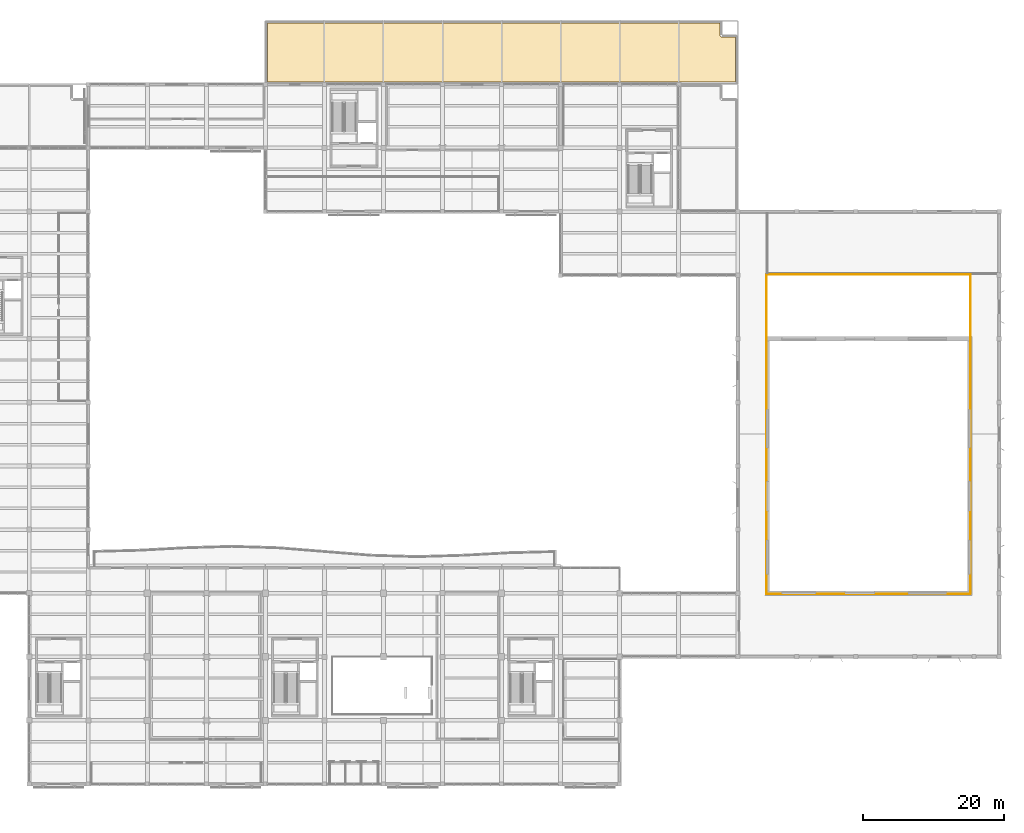
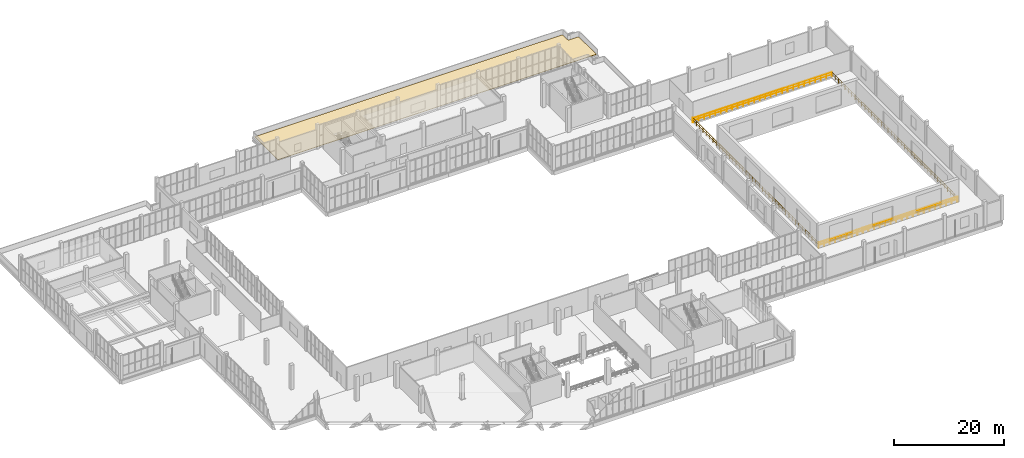
# One storey, part 132 of 132: 4 railings, 1 covering.
"""IFC4 building model written with IfcOpenShell, lengths in metres."""

from ifc_helpers import new_model, si_unit, direction, frame, origin, origin_2d, place, context, subcontext, project, spatial, polyline, circle, outline, extrude, material, layer, layer_set, type_object, element, save


model = new_model("IFC4")

# Units and contexts
model_context = context("Model", 3, precision=1e-05, world=origin(), true_north=direction((0.0, 1.0)))
body_context = subcontext(model_context, "Body", "Model", "MODEL_VIEW")
ifc_project = project(units=[si_unit("LENGTHUNIT", "METRE"), si_unit("AREAUNIT", "SQUARE_METRE"), si_unit("VOLUMEUNIT", "CUBIC_METRE"), si_unit("PLANEANGLEUNIT", "RADIAN"), si_unit("MASSUNIT", "GRAM", prefix="KILO")], contexts=[model_context])

# Site, building, storey
site_placement = place(None, origin())
site = spatial("IfcSite", under=ifc_project, at=site_placement, CompositionType="ELEMENT")
building_placement = place(site_placement, origin())
building = spatial("IfcBuilding", under=site, at=building_placement, Name="Khurvash Pelagic Aquarium", CompositionType="ELEMENT")
storey_placement = place(building_placement, frame((0.0, 0.0, 5.39990234375)))
storey = spatial("IfcBuildingStorey", under=building, at=storey_placement, Name="L01", CompositionType="ELEMENT", Elevation=5.39990234375)

# Covering
ifc_material_1 = material(Name="TPO waterproof membrane and XPS rigid insulation", Category="insulation")
ifc_layer = layer(ifc_material_1, 0.080078125)
ifc_layer_set = layer_set([ifc_layer], Name="TPO waterproof membrane and XPS rigid insulation")
covering_type = type_object("IfcCoveringType", Name="CV-RF01", PredefinedType="ROOFING", material=ifc_layer_set)
covering_placement = place(storey_placement, origin())
element("IfcCovering", 1, at=covering_placement, inside=storey, type_object=covering_type, Name="L01 Insulated TPO Roof Membrane SLB-ROOF-L01-2-1", PredefinedType="ROOFING", context=body_context, shape_type="SweptSolid", body=[
    extrude(outline(polyline([(125.679931640625, 102.469970703125), (59.1201171875, 102.469970703125), (59.1201171875, 110.8798828125), (123.47998046875, 110.8798828125), (123.47998046875, 109.199951171875), (123.48193359375, 109.1689453125), (123.486083984375, 109.137939453125), (123.493896484375, 109.10693359375), (123.50390625, 109.077880859375), (123.51806640625, 109.049072265625), (123.533935546875, 109.02197265625), (123.552978515625, 108.9970703125), (123.573974609375, 108.97412109375), (123.596923828125, 108.952880859375), (123.6220703125, 108.93408203125), (123.64892578125, 108.91796875), (123.677978515625, 108.904052734375), (123.70703125, 108.89404296875), (123.738037109375, 108.885986328125), (123.76904296875, 108.882080078125), (123.800048828125, 108.8798828125), (125.679931640625, 108.8798828125), (125.679931640625, 102.469970703125)])), origin(), (0.0, 0.0, 1.0), 0.080078125),
])

# Railings
ifc_material_2 = material(Name="Powder-coated galvanised steel S355J2", Category="steel")
railing_type = type_object("IfcRailingType", Name="GR-01", PredefinedType="GUARDRAIL", material=ifc_material_2)
railing_1_placement = place(storey_placement, frame((130.10009765625, 29.64990234375, 0.0)))
element("IfcRailing", 2, at=railing_1_placement, inside=storey, type_object=railing_type, Name="L01 VOID_OCEAN_L01 Mezzanine Edge Guardrail GR-01", PredefinedType="GUARDRAIL", context=body_context, shape_type="SweptSolid", body=[
    extrude(circle(Radius=0.02392578125, at=origin_2d()), frame((0.0, 0.0, 1.076171875), z_axis=(1.0, 0.0, 0.0), x_axis=(0.0, 1.0, 0.0)), (0.0, 0.0, 1.0), 29.0),
    extrude(circle(Radius=0.02392578125, at=origin_2d()), frame((0.0, 0.0, 0.5380859375), z_axis=(1.0, 0.0, 0.0), x_axis=(0.0, 1.0, 0.0)), (0.0, 0.0, 1.0), 29.0),
    extrude(circle(Radius=0.02099609375, at=origin_2d()), origin(), (0.0, 0.0, 1.0), 1.052001953125),
    extrude(circle(Radius=0.02099609375, at=origin_2d()), frame((1.159912109375, 0.0, 0.0)), (0.0, 0.0, 1.0), 1.052001953125),
    extrude(circle(Radius=0.02099609375, at=origin_2d()), frame((2.320068359375, 0.0, 0.0)), (0.0, 0.0, 1.0), 1.052001953125),
    extrude(circle(Radius=0.02099609375, at=origin_2d()), frame((3.47998046875, 0.0, 0.0)), (0.0, 0.0, 1.0), 1.052001953125),
    extrude(circle(Radius=0.02099609375, at=origin_2d()), frame((4.639892578125, 0.0, 0.0)), (0.0, 0.0, 1.0), 1.052001953125),
    extrude(circle(Radius=0.02099609375, at=origin_2d()), frame((5.800048828125, 0.0, 0.0)), (0.0, 0.0, 1.0), 1.052001953125),
    extrude(circle(Radius=0.02099609375, at=origin_2d()), frame((6.9599609375, 0.0, 0.0)), (0.0, 0.0, 1.0), 1.052001953125),
    extrude(circle(Radius=0.02099609375, at=origin_2d()), frame((8.1201171875, 0.0, 0.0)), (0.0, 0.0, 1.0), 1.052001953125),
    extrude(circle(Radius=0.02099609375, at=origin_2d()), frame((9.280029296875, 0.0, 0.0)), (0.0, 0.0, 1.0), 1.052001953125),
    extrude(circle(Radius=0.02099609375, at=origin_2d()), frame((10.43994140625, 0.0, 0.0)), (0.0, 0.0, 1.0), 1.052001953125),
    extrude(circle(Radius=0.02099609375, at=origin_2d()), frame((11.60009765625, 0.0, 0.0)), (0.0, 0.0, 1.0), 1.052001953125),
    extrude(circle(Radius=0.02099609375, at=origin_2d()), frame((12.760009765625, 0.0, 0.0)), (0.0, 0.0, 1.0), 1.052001953125),
    extrude(circle(Radius=0.02099609375, at=origin_2d()), frame((13.919921875, 0.0, 0.0)), (0.0, 0.0, 1.0), 1.052001953125),
    extrude(circle(Radius=0.02099609375, at=origin_2d()), frame((15.080078125, 0.0, 0.0)), (0.0, 0.0, 1.0), 1.052001953125),
    extrude(circle(Radius=0.02099609375, at=origin_2d()), frame((16.239990234375, 0.0, 0.0)), (0.0, 0.0, 1.0), 1.052001953125),
    extrude(circle(Radius=0.02099609375, at=origin_2d()), frame((17.39990234375, 0.0, 0.0)), (0.0, 0.0, 1.0), 1.052001953125),
    extrude(circle(Radius=0.02099609375, at=origin_2d()), frame((18.56005859375, 0.0, 0.0)), (0.0, 0.0, 1.0), 1.052001953125),
    extrude(circle(Radius=0.02099609375, at=origin_2d()), frame((19.719970703125, 0.0, 0.0)), (0.0, 0.0, 1.0), 1.052001953125),
    extrude(circle(Radius=0.02099609375, at=origin_2d()), frame((20.8798828125, 0.0, 0.0)), (0.0, 0.0, 1.0), 1.052001953125),
    extrude(circle(Radius=0.02099609375, at=origin_2d()), frame((22.0400390625, 0.0, 0.0)), (0.0, 0.0, 1.0), 1.052001953125),
    extrude(circle(Radius=0.02099609375, at=origin_2d()), frame((23.199951171875, 0.0, 0.0)), (0.0, 0.0, 1.0), 1.052001953125),
    extrude(circle(Radius=0.02099609375, at=origin_2d()), frame((24.360107421875, 0.0, 0.0)), (0.0, 0.0, 1.0), 1.052001953125),
    extrude(circle(Radius=0.02099609375, at=origin_2d()), frame((25.52001953125, 0.0, 0.0)), (0.0, 0.0, 1.0), 1.052001953125),
    extrude(circle(Radius=0.02099609375, at=origin_2d()), frame((26.679931640625, 0.0, 0.0)), (0.0, 0.0, 1.0), 1.052001953125),
    extrude(circle(Radius=0.02099609375, at=origin_2d()), frame((27.840087890625, 0.0, 0.0)), (0.0, 0.0, 1.0), 1.052001953125),
    extrude(circle(Radius=0.02099609375, at=origin_2d()), frame((29.0, 0.0, 0.0)), (0.0, 0.0, 1.0), 1.052001953125),
])
railing_2_placement = place(storey_placement, frame((159.10009765625, 29.64990234375, 0.0)))
element("IfcRailing", 3, at=railing_2_placement, inside=storey, type_object=railing_type, Name="L01 VOID_OCEAN_L01 Mezzanine Edge Guardrail GR-01", PredefinedType="GUARDRAIL", context=body_context, shape_type="SweptSolid", body=[
    extrude(circle(Radius=0.02392578125, at=origin_2d()), frame((0.0, 0.0, 1.076171875), z_axis=(0.0, 1.0, 0.0), x_axis=(-1.0, 0.0, 0.0)), (0.0, 0.0, 1.0), 45.4501953125),
    extrude(circle(Radius=0.02392578125, at=origin_2d()), frame((0.0, 0.0, 0.5380859375), z_axis=(0.0, 1.0, 0.0), x_axis=(-1.0, 0.0, 0.0)), (0.0, 0.0, 1.0), 45.4501953125),
    extrude(circle(Radius=0.02099609375, at=origin_2d()), origin(), (0.0, 0.0, 1.0), 1.052001953125),
    extrude(circle(Radius=0.02099609375, at=origin_2d()), frame((0.0, 1.196044921875, 0.0)), (0.0, 0.0, 1.0), 1.052001953125),
    extrude(circle(Radius=0.02099609375, at=origin_2d()), frame((0.0, 2.39208984375, 0.0)), (0.0, 0.0, 1.0), 1.052001953125),
    extrude(circle(Radius=0.02099609375, at=origin_2d()), frame((0.0, 3.588134765625, 0.0)), (0.0, 0.0, 1.0), 1.052001953125),
    extrude(circle(Radius=0.02099609375, at=origin_2d()), frame((0.0, 4.7841796875, 0.0)), (0.0, 0.0, 1.0), 1.052001953125),
    extrude(circle(Radius=0.02099609375, at=origin_2d()), frame((0.0, 5.980224609375, 0.0)), (0.0, 0.0, 1.0), 1.052001953125),
    extrude(circle(Radius=0.02099609375, at=origin_2d()), frame((0.0, 7.17626953125, 0.0)), (0.0, 0.0, 1.0), 1.052001953125),
    extrude(circle(Radius=0.02099609375, at=origin_2d()), frame((0.0, 8.372314453125, 0.0)), (0.0, 0.0, 1.0), 1.052001953125),
    extrude(circle(Radius=0.02099609375, at=origin_2d()), frame((0.0, 9.568359375, 0.0)), (0.0, 0.0, 1.0), 1.052001953125),
    extrude(circle(Radius=0.02099609375, at=origin_2d()), frame((0.0, 10.764404296875, 0.0)), (0.0, 0.0, 1.0), 1.052001953125),
    extrude(circle(Radius=0.02099609375, at=origin_2d()), frame((0.0, 11.960693359375, 0.0)), (0.0, 0.0, 1.0), 1.052001953125),
    extrude(circle(Radius=0.02099609375, at=origin_2d()), frame((0.0, 13.15673828125, 0.0)), (0.0, 0.0, 1.0), 1.052001953125),
    extrude(circle(Radius=0.02099609375, at=origin_2d()), frame((0.0, 14.352783203125, 0.0)), (0.0, 0.0, 1.0), 1.052001953125),
    extrude(circle(Radius=0.02099609375, at=origin_2d()), frame((0.0, 15.548828125, 0.0)), (0.0, 0.0, 1.0), 1.052001953125),
    extrude(circle(Radius=0.02099609375, at=origin_2d()), frame((0.0, 16.744873046875, 0.0)), (0.0, 0.0, 1.0), 1.052001953125),
    extrude(circle(Radius=0.02099609375, at=origin_2d()), frame((0.0, 17.94091796875, 0.0)), (0.0, 0.0, 1.0), 1.052001953125),
    extrude(circle(Radius=0.02099609375, at=origin_2d()), frame((0.0, 19.136962890625, 0.0)), (0.0, 0.0, 1.0), 1.052001953125),
    extrude(circle(Radius=0.02099609375, at=origin_2d()), frame((0.0, 20.3330078125, 0.0)), (0.0, 0.0, 1.0), 1.052001953125),
    extrude(circle(Radius=0.02099609375, at=origin_2d()), frame((0.0, 21.529052734375, 0.0)), (0.0, 0.0, 1.0), 1.052001953125),
    extrude(circle(Radius=0.02099609375, at=origin_2d()), frame((0.0, 22.72509765625, 0.0)), (0.0, 0.0, 1.0), 1.052001953125),
    extrude(circle(Radius=0.02099609375, at=origin_2d()), frame((0.0, 23.921142578125, 0.0)), (0.0, 0.0, 1.0), 1.052001953125),
    extrude(circle(Radius=0.02099609375, at=origin_2d()), frame((0.0, 25.1171875, 0.0)), (0.0, 0.0, 1.0), 1.052001953125),
    extrude(circle(Radius=0.02099609375, at=origin_2d()), frame((0.0, 26.313232421875, 0.0)), (0.0, 0.0, 1.0), 1.052001953125),
    extrude(circle(Radius=0.02099609375, at=origin_2d()), frame((0.0, 27.50927734375, 0.0)), (0.0, 0.0, 1.0), 1.052001953125),
    extrude(circle(Radius=0.02099609375, at=origin_2d()), frame((0.0, 28.705322265625, 0.0)), (0.0, 0.0, 1.0), 1.052001953125),
    extrude(circle(Radius=0.02099609375, at=origin_2d()), frame((0.0, 29.9013671875, 0.0)), (0.0, 0.0, 1.0), 1.052001953125),
    extrude(circle(Radius=0.02099609375, at=origin_2d()), frame((0.0, 31.097412109375, 0.0)), (0.0, 0.0, 1.0), 1.052001953125),
    extrude(circle(Radius=0.02099609375, at=origin_2d()), frame((0.0, 32.29345703125, 0.0)), (0.0, 0.0, 1.0), 1.052001953125),
    extrude(circle(Radius=0.02099609375, at=origin_2d()), frame((0.0, 33.489501953125, 0.0)), (0.0, 0.0, 1.0), 1.052001953125),
    extrude(circle(Radius=0.02099609375, at=origin_2d()), frame((0.0, 34.685791015625, 0.0)), (0.0, 0.0, 1.0), 1.052001953125),
    extrude(circle(Radius=0.02099609375, at=origin_2d()), frame((0.0, 35.8818359375, 0.0)), (0.0, 0.0, 1.0), 1.052001953125),
    extrude(circle(Radius=0.02099609375, at=origin_2d()), frame((0.0, 37.077880859375, 0.0)), (0.0, 0.0, 1.0), 1.052001953125),
    extrude(circle(Radius=0.02099609375, at=origin_2d()), frame((0.0, 38.27392578125, 0.0)), (0.0, 0.0, 1.0), 1.052001953125),
    extrude(circle(Radius=0.02099609375, at=origin_2d()), frame((0.0, 39.469970703125, 0.0)), (0.0, 0.0, 1.0), 1.052001953125),
    extrude(circle(Radius=0.02099609375, at=origin_2d()), frame((0.0, 40.666015625, 0.0)), (0.0, 0.0, 1.0), 1.052001953125),
    extrude(circle(Radius=0.02099609375, at=origin_2d()), frame((0.0, 41.862060546875, 0.0)), (0.0, 0.0, 1.0), 1.052001953125),
    extrude(circle(Radius=0.02099609375, at=origin_2d()), frame((0.0, 43.05810546875, 0.0)), (0.0, 0.0, 1.0), 1.052001953125),
    extrude(circle(Radius=0.02099609375, at=origin_2d()), frame((0.0, 44.254150390625, 0.0)), (0.0, 0.0, 1.0), 1.052001953125),
    extrude(circle(Radius=0.02099609375, at=origin_2d()), frame((0.0, 45.4501953125, 0.0)), (0.0, 0.0, 1.0), 1.052001953125),
])
railing_3_placement = place(storey_placement, frame((159.10009765625, 75.10009765625, 0.0)))
element("IfcRailing", 4, at=railing_3_placement, inside=storey, type_object=railing_type, Name="L01 VOID_OCEAN_L01 Mezzanine Edge Guardrail GR-01", PredefinedType="GUARDRAIL", context=body_context, shape_type="SweptSolid", body=[
    extrude(circle(Radius=0.02392578125, at=origin_2d()), frame((0.0, 0.0, 1.076171875), z_axis=(-1.0, 0.0, 0.0), x_axis=(0.0, -1.0, 0.0)), (0.0, 0.0, 1.0), 29.0),
    extrude(circle(Radius=0.02392578125, at=origin_2d()), frame((0.0, 0.0, 0.5380859375), z_axis=(-1.0, 0.0, 0.0), x_axis=(0.0, -1.0, 0.0)), (0.0, 0.0, 1.0), 29.0),
    extrude(circle(Radius=0.02099609375, at=origin_2d()), origin(), (0.0, 0.0, 1.0), 1.052001953125),
    extrude(circle(Radius=0.02099609375, at=origin_2d()), frame((-1.159912109375, 0.0, 0.0)), (0.0, 0.0, 1.0), 1.052001953125),
    extrude(circle(Radius=0.02099609375, at=origin_2d()), frame((-2.320068359375, 0.0, 0.0)), (0.0, 0.0, 1.0), 1.052001953125),
    extrude(circle(Radius=0.02099609375, at=origin_2d()), frame((-3.47998046875, 0.0, 0.0)), (0.0, 0.0, 1.0), 1.052001953125),
    extrude(circle(Radius=0.02099609375, at=origin_2d()), frame((-4.639892578125, 0.0, 0.0)), (0.0, 0.0, 1.0), 1.052001953125),
    extrude(circle(Radius=0.02099609375, at=origin_2d()), frame((-5.800048828125, 0.0, 0.0)), (0.0, 0.0, 1.0), 1.052001953125),
    extrude(circle(Radius=0.02099609375, at=origin_2d()), frame((-6.9599609375, 0.0, 0.0)), (0.0, 0.0, 1.0), 1.052001953125),
    extrude(circle(Radius=0.02099609375, at=origin_2d()), frame((-8.1201171875, 0.0, 0.0)), (0.0, 0.0, 1.0), 1.052001953125),
    extrude(circle(Radius=0.02099609375, at=origin_2d()), frame((-9.280029296875, 0.0, 0.0)), (0.0, 0.0, 1.0), 1.052001953125),
    extrude(circle(Radius=0.02099609375, at=origin_2d()), frame((-10.43994140625, 0.0, 0.0)), (0.0, 0.0, 1.0), 1.052001953125),
    extrude(circle(Radius=0.02099609375, at=origin_2d()), frame((-11.60009765625, 0.0, 0.0)), (0.0, 0.0, 1.0), 1.052001953125),
    extrude(circle(Radius=0.02099609375, at=origin_2d()), frame((-12.760009765625, 0.0, 0.0)), (0.0, 0.0, 1.0), 1.052001953125),
    extrude(circle(Radius=0.02099609375, at=origin_2d()), frame((-13.919921875, 0.0, 0.0)), (0.0, 0.0, 1.0), 1.052001953125),
    extrude(circle(Radius=0.02099609375, at=origin_2d()), frame((-15.080078125, 0.0, 0.0)), (0.0, 0.0, 1.0), 1.052001953125),
    extrude(circle(Radius=0.02099609375, at=origin_2d()), frame((-16.239990234375, 0.0, 0.0)), (0.0, 0.0, 1.0), 1.052001953125),
    extrude(circle(Radius=0.02099609375, at=origin_2d()), frame((-17.39990234375, 0.0, 0.0)), (0.0, 0.0, 1.0), 1.052001953125),
    extrude(circle(Radius=0.02099609375, at=origin_2d()), frame((-18.56005859375, 0.0, 0.0)), (0.0, 0.0, 1.0), 1.052001953125),
    extrude(circle(Radius=0.02099609375, at=origin_2d()), frame((-19.719970703125, 0.0, 0.0)), (0.0, 0.0, 1.0), 1.052001953125),
    extrude(circle(Radius=0.02099609375, at=origin_2d()), frame((-20.8798828125, 0.0, 0.0)), (0.0, 0.0, 1.0), 1.052001953125),
    extrude(circle(Radius=0.02099609375, at=origin_2d()), frame((-22.0400390625, 0.0, 0.0)), (0.0, 0.0, 1.0), 1.052001953125),
    extrude(circle(Radius=0.02099609375, at=origin_2d()), frame((-23.199951171875, 0.0, 0.0)), (0.0, 0.0, 1.0), 1.052001953125),
    extrude(circle(Radius=0.02099609375, at=origin_2d()), frame((-24.360107421875, 0.0, 0.0)), (0.0, 0.0, 1.0), 1.052001953125),
    extrude(circle(Radius=0.02099609375, at=origin_2d()), frame((-25.52001953125, 0.0, 0.0)), (0.0, 0.0, 1.0), 1.052001953125),
    extrude(circle(Radius=0.02099609375, at=origin_2d()), frame((-26.679931640625, 0.0, 0.0)), (0.0, 0.0, 1.0), 1.052001953125),
    extrude(circle(Radius=0.02099609375, at=origin_2d()), frame((-27.840087890625, 0.0, 0.0)), (0.0, 0.0, 1.0), 1.052001953125),
    extrude(circle(Radius=0.02099609375, at=origin_2d()), frame((-29.0, 0.0, 0.0)), (0.0, 0.0, 1.0), 1.052001953125),
])
railing_4_placement = place(storey_placement, frame((130.10009765625, 75.10009765625, 0.0)))
element("IfcRailing", 5, at=railing_4_placement, inside=storey, type_object=railing_type, Name="L01 VOID_OCEAN_L01 Mezzanine Edge Guardrail GR-01", PredefinedType="GUARDRAIL", context=body_context, shape_type="SweptSolid", body=[
    extrude(circle(Radius=0.02392578125, at=origin_2d()), frame((0.0, 0.0, 1.076171875), z_axis=(0.0, -1.0, 0.0), x_axis=(1.0, 0.0, 0.0)), (0.0, 0.0, 1.0), 45.4501953125),
    extrude(circle(Radius=0.02392578125, at=origin_2d()), frame((0.0, 0.0, 0.5380859375), z_axis=(0.0, -1.0, 0.0), x_axis=(1.0, 0.0, 0.0)), (0.0, 0.0, 1.0), 45.4501953125),
    extrude(circle(Radius=0.02099609375, at=origin_2d()), origin(), (0.0, 0.0, 1.0), 1.052001953125),
    extrude(circle(Radius=0.02099609375, at=origin_2d()), frame((0.0, -1.196044921875, 0.0)), (0.0, 0.0, 1.0), 1.052001953125),
    extrude(circle(Radius=0.02099609375, at=origin_2d()), frame((0.0, -2.39208984375, 0.0)), (0.0, 0.0, 1.0), 1.052001953125),
    extrude(circle(Radius=0.02099609375, at=origin_2d()), frame((0.0, -3.588134765625, 0.0)), (0.0, 0.0, 1.0), 1.052001953125),
    extrude(circle(Radius=0.02099609375, at=origin_2d()), frame((0.0, -4.7841796875, 0.0)), (0.0, 0.0, 1.0), 1.052001953125),
    extrude(circle(Radius=0.02099609375, at=origin_2d()), frame((0.0, -5.980224609375, 0.0)), (0.0, 0.0, 1.0), 1.052001953125),
    extrude(circle(Radius=0.02099609375, at=origin_2d()), frame((0.0, -7.17626953125, 0.0)), (0.0, 0.0, 1.0), 1.052001953125),
    extrude(circle(Radius=0.02099609375, at=origin_2d()), frame((0.0, -8.372314453125, 0.0)), (0.0, 0.0, 1.0), 1.052001953125),
    extrude(circle(Radius=0.02099609375, at=origin_2d()), frame((0.0, -9.568359375, 0.0)), (0.0, 0.0, 1.0), 1.052001953125),
    extrude(circle(Radius=0.02099609375, at=origin_2d()), frame((0.0, -10.764404296875, 0.0)), (0.0, 0.0, 1.0), 1.052001953125),
    extrude(circle(Radius=0.02099609375, at=origin_2d()), frame((0.0, -11.960693359375, 0.0)), (0.0, 0.0, 1.0), 1.052001953125),
    extrude(circle(Radius=0.02099609375, at=origin_2d()), frame((0.0, -13.15673828125, 0.0)), (0.0, 0.0, 1.0), 1.052001953125),
    extrude(circle(Radius=0.02099609375, at=origin_2d()), frame((0.0, -14.352783203125, 0.0)), (0.0, 0.0, 1.0), 1.052001953125),
    extrude(circle(Radius=0.02099609375, at=origin_2d()), frame((0.0, -15.548828125, 0.0)), (0.0, 0.0, 1.0), 1.052001953125),
    extrude(circle(Radius=0.02099609375, at=origin_2d()), frame((0.0, -16.744873046875, 0.0)), (0.0, 0.0, 1.0), 1.052001953125),
    extrude(circle(Radius=0.02099609375, at=origin_2d()), frame((0.0, -17.94091796875, 0.0)), (0.0, 0.0, 1.0), 1.052001953125),
    extrude(circle(Radius=0.02099609375, at=origin_2d()), frame((0.0, -19.136962890625, 0.0)), (0.0, 0.0, 1.0), 1.052001953125),
    extrude(circle(Radius=0.02099609375, at=origin_2d()), frame((0.0, -20.3330078125, 0.0)), (0.0, 0.0, 1.0), 1.052001953125),
    extrude(circle(Radius=0.02099609375, at=origin_2d()), frame((0.0, -21.529052734375, 0.0)), (0.0, 0.0, 1.0), 1.052001953125),
    extrude(circle(Radius=0.02099609375, at=origin_2d()), frame((0.0, -22.72509765625, 0.0)), (0.0, 0.0, 1.0), 1.052001953125),
    extrude(circle(Radius=0.02099609375, at=origin_2d()), frame((0.0, -23.921142578125, 0.0)), (0.0, 0.0, 1.0), 1.052001953125),
    extrude(circle(Radius=0.02099609375, at=origin_2d()), frame((0.0, -25.1171875, 0.0)), (0.0, 0.0, 1.0), 1.052001953125),
    extrude(circle(Radius=0.02099609375, at=origin_2d()), frame((0.0, -26.313232421875, 0.0)), (0.0, 0.0, 1.0), 1.052001953125),
    extrude(circle(Radius=0.02099609375, at=origin_2d()), frame((0.0, -27.50927734375, 0.0)), (0.0, 0.0, 1.0), 1.052001953125),
    extrude(circle(Radius=0.02099609375, at=origin_2d()), frame((0.0, -28.705322265625, 0.0)), (0.0, 0.0, 1.0), 1.052001953125),
    extrude(circle(Radius=0.02099609375, at=origin_2d()), frame((0.0, -29.9013671875, 0.0)), (0.0, 0.0, 1.0), 1.052001953125),
    extrude(circle(Radius=0.02099609375, at=origin_2d()), frame((0.0, -31.097412109375, 0.0)), (0.0, 0.0, 1.0), 1.052001953125),
    extrude(circle(Radius=0.02099609375, at=origin_2d()), frame((0.0, -32.29345703125, 0.0)), (0.0, 0.0, 1.0), 1.052001953125),
    extrude(circle(Radius=0.02099609375, at=origin_2d()), frame((0.0, -33.489501953125, 0.0)), (0.0, 0.0, 1.0), 1.052001953125),
    extrude(circle(Radius=0.02099609375, at=origin_2d()), frame((0.0, -34.685791015625, 0.0)), (0.0, 0.0, 1.0), 1.052001953125),
    extrude(circle(Radius=0.02099609375, at=origin_2d()), frame((0.0, -35.8818359375, 0.0)), (0.0, 0.0, 1.0), 1.052001953125),
    extrude(circle(Radius=0.02099609375, at=origin_2d()), frame((0.0, -37.077880859375, 0.0)), (0.0, 0.0, 1.0), 1.052001953125),
    extrude(circle(Radius=0.02099609375, at=origin_2d()), frame((0.0, -38.27392578125, 0.0)), (0.0, 0.0, 1.0), 1.052001953125),
    extrude(circle(Radius=0.02099609375, at=origin_2d()), frame((0.0, -39.469970703125, 0.0)), (0.0, 0.0, 1.0), 1.052001953125),
    extrude(circle(Radius=0.02099609375, at=origin_2d()), frame((0.0, -40.666015625, 0.0)), (0.0, 0.0, 1.0), 1.052001953125),
    extrude(circle(Radius=0.02099609375, at=origin_2d()), frame((0.0, -41.862060546875, 0.0)), (0.0, 0.0, 1.0), 1.052001953125),
    extrude(circle(Radius=0.02099609375, at=origin_2d()), frame((0.0, -43.05810546875, 0.0)), (0.0, 0.0, 1.0), 1.052001953125),
    extrude(circle(Radius=0.02099609375, at=origin_2d()), frame((0.0, -44.254150390625, 0.0)), (0.0, 0.0, 1.0), 1.052001953125),
    extrude(circle(Radius=0.02099609375, at=origin_2d()), frame((0.0, -45.4501953125, 0.0)), (0.0, 0.0, 1.0), 1.052001953125),
])

save(model, "model.ifc")
